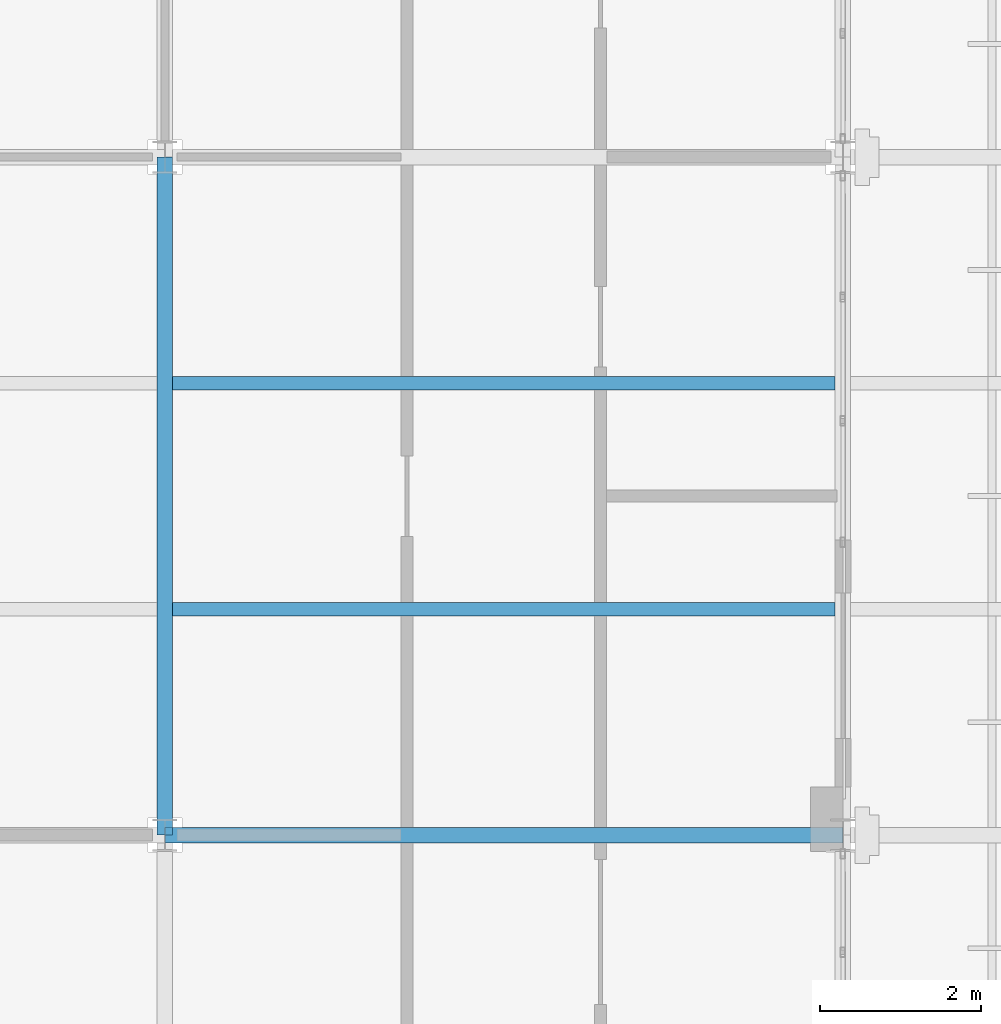
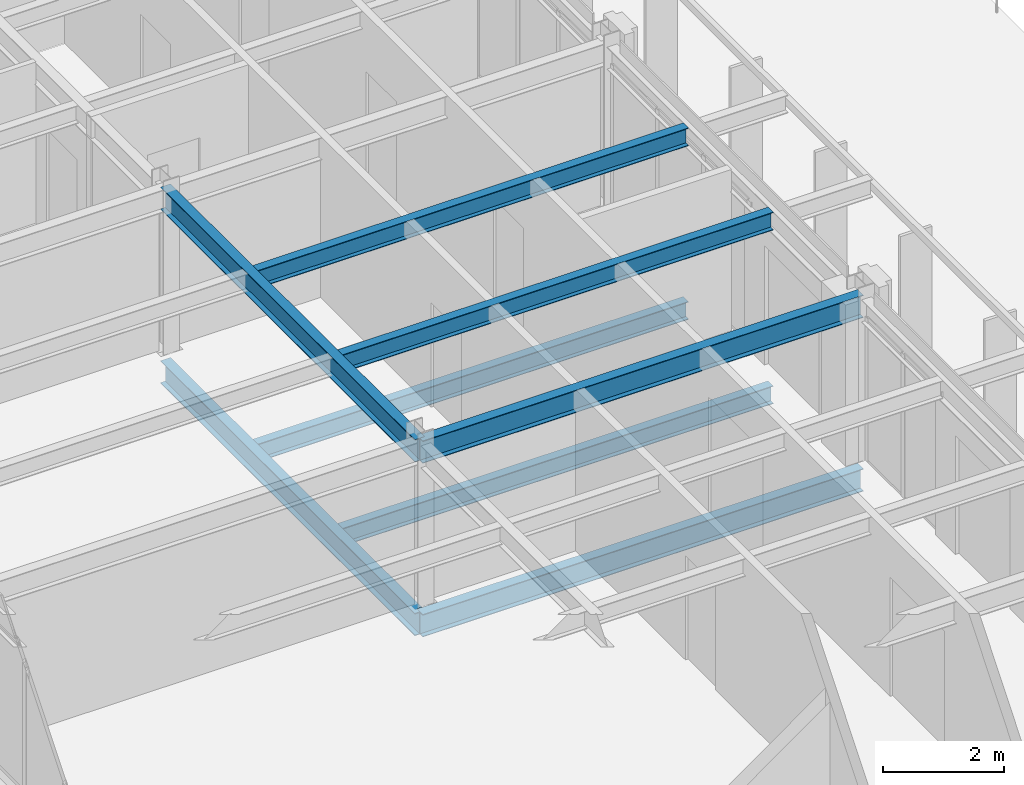
# One storey, part 14 of 31: 8 beams.
"""IFC4 building model written with IfcOpenShell, lengths in metres."""

import ifcopenshell
import ifcopenshell.guid

model = None  # the IFC model being written
_history = None  # IfcOwnerHistory: only IFC2X3 demands one
_inside = {}  # id of a spatial element -> (the spatial element, [elements in it])
_under = {}  # id of a project, library or spatial element -> (it, [spatial elements below it])
_declared = {}  # id of a project -> (the project, [libraries it declares])
_typed = {}  # id of a type object -> (the type object, [elements of that type])
_made_of = {}  # id of a material, layer set ... -> (it, [elements and type objects made of it])


def new_model(schema):
    """Start an empty IFC model of exactly this schema.

    Asked for "IFC4X3", IfcOpenShell would pick the latest addendum, in which some entities
    have other attributes; the version numbers below select the first issue.
    IFC2X3 requires an IfcOwnerHistory on every rooted entity: one is made here for all.
    """
    global model, _history
    if schema == "IFC4X3":
        model = ifcopenshell.file(schema_version=(4, 3, 0, 0))
    else:
        model = ifcopenshell.file(schema=schema)
    _inside.clear()
    _under.clear()
    _declared.clear()
    _typed.clear()
    _made_of.clear()
    _history = None
    if model.schema == "IFC2X3":
        org = make("IfcOrganization", Name="unknown")
        user = make(
            "IfcPersonAndOrganization",
            ThePerson=make("IfcPerson", FamilyName="unknown"),
            TheOrganization=org,
        )
        app = make(
            "IfcApplication",
            ApplicationDeveloper=org,
            Version="unknown",
            ApplicationFullName="unknown",
            ApplicationIdentifier="unknown",
        )
        _history = make(
            "IfcOwnerHistory",
            OwningUser=user,
            OwningApplication=app,
            ChangeAction="ADDED",
            CreationDate=0,
        )
    return model


def make(cls, **values):
    """One entity of the class cls with the attributes given. An attribute that is None is left unset."""
    return model.create_entity(
        cls, **{name: value for name, value in values.items() if value is not None}
    )


def rooted(cls, **values):
    """An entity with a GlobalId (a new one), such as an element, a storey or a relation."""
    return make(cls, GlobalId=ifcopenshell.guid.new(), OwnerHistory=_history, **values)


def si_unit(unit_type, name, prefix=None):
    """IfcSIUnit, for example si_unit("LENGTHUNIT", "METRE", prefix="MILLI")."""
    return make("IfcSIUnit", UnitType=unit_type, Prefix=prefix, Name=name)


def assignment(units):
    """IfcUnitAssignment: the units of a project."""
    return None if units is None else make("IfcUnitAssignment", Units=units)


def point(xyz):
    """IfcCartesianPoint."""
    return None if xyz is None else make("IfcCartesianPoint", Coordinates=xyz)


def direction(xyz):
    """IfcDirection."""
    return None if xyz is None else make("IfcDirection", DirectionRatios=xyz)


def frame(location, z_axis=None, x_axis=None):
    """IfcAxis2Placement3D, a coordinate frame: its origin and axes. An axis left out is left unset."""
    return make(
        "IfcAxis2Placement3D",
        Location=point(location),
        Axis=direction(z_axis),
        RefDirection=direction(x_axis),
    )


def frame_2d(location, x_axis=None):
    """IfcAxis2Placement2D, a coordinate frame in the plane: its origin and x axis."""
    return make(
        "IfcAxis2Placement2D", Location=point(location), RefDirection=direction(x_axis)
    )


def origin():
    """The frame at (0, 0, 0) with its axes left unset."""
    return frame((0.0, 0.0, 0.0))


def origin_2d():
    """The frame at (0, 0) in the plane with its x axis left unset."""
    return frame_2d((0.0, 0.0))


def place(relative_to, where):
    """IfcLocalPlacement: puts the frame where relative to a parent placement (None: the world)."""
    return make(
        "IfcLocalPlacement", PlacementRelTo=relative_to, RelativePlacement=where
    )


def context(
    kind, dimensions, precision=None, world=None, true_north=None, identifier=None
):
    """IfcGeometricRepresentationContext, for example the 3D "Model" context."""
    return make(
        "IfcGeometricRepresentationContext",
        ContextIdentifier=identifier,
        ContextType=kind,
        CoordinateSpaceDimension=dimensions,
        Precision=precision,
        WorldCoordinateSystem=world,
        TrueNorth=true_north,
    )


def subcontext(parent, identifier, kind, view, scale=None):
    """IfcGeometricRepresentationSubContext, for example "Body" below "Model"."""
    return make(
        "IfcGeometricRepresentationSubContext",
        ContextIdentifier=identifier,
        ContextType=kind,
        ParentContext=parent,
        TargetScale=scale,
        TargetView=view,
    )


def project(units=None, contexts=None):
    """IfcProject with its units and contexts."""
    return rooted(
        "IfcProject",
        Name="project",
        RepresentationContexts=contexts,
        UnitsInContext=assignment(units),
    )


def spatial(cls, under=None, at=None, **own):
    """A site, building, storey or space (cls), placed at a placement, below another one or the project."""
    s = rooted(cls, ObjectPlacement=at, **own)
    if under is not None:
        _under.setdefault(under.id(), (under, []))[1].append(s)
    return s


def profile(cls, at=None, kind="AREA", **sizes):
    """A parametric profile (cls). Its sizes go by their IFC names, for example OverallWidth=200.0."""
    return make(cls, ProfileType=kind, Position=at, **sizes)


def i_section(**sizes):
    """IfcIShapeProfileDef."""
    return profile("IfcIShapeProfileDef", **sizes)


def extrude(swept, where, along, depth):
    """IfcExtrudedAreaSolid: the profile swept, set in the frame where, extruded along a direction by depth."""
    return make(
        "IfcExtrudedAreaSolid",
        SweptArea=swept,
        Position=where,
        ExtrudedDirection=direction(along),
        Depth=depth,
    )


def shape(context_of_items, identifier, shape_type, items):
    """IfcShapeRepresentation: the items that make up one representation, for example the "Body"."""
    return make(
        "IfcShapeRepresentation",
        ContextOfItems=context_of_items,
        RepresentationIdentifier=identifier,
        RepresentationType=shape_type,
        Items=items,
    )


def material(Name=None, Category=None):
    """IfcMaterial."""
    return make("IfcMaterial", Name=Name, Category=Category)


def material_profile(
    of_material, cross_section, Name=None, Category=None, Priority=None
):
    """IfcMaterialProfile: a cross section and its material."""
    return make(
        "IfcMaterialProfile",
        Name=Name,
        Material=of_material,
        Profile=cross_section,
        Priority=Priority,
        Category=Category,
    )


def profile_set(profiles, Name=None, composite=None):
    """IfcMaterialProfileSet."""
    return make(
        "IfcMaterialProfileSet",
        Name=Name,
        MaterialProfiles=profiles,
        CompositeProfile=composite,
    )


def made_of(thing, what):
    """Note that an element or type object is made of a material, layer set ...; save() writes the relation."""
    if what is not None:
        _made_of.setdefault(what.id(), (what, []))[1].append(thing)
    return thing


def type_object(cls, material=None, **own):
    """A type object (cls), such as IfcWallType, which elements share."""
    return made_of(rooted(cls, **own), material)


def element(
    cls,
    number,
    at=None,
    inside=None,
    cuts=None,
    type_object=None,
    material=None,
    context=None,
    identifier="Body",
    shape_type=None,
    held_by="IfcProductDefinitionShape",
    body=None,
    shapes=None,
    **own,
):
    """One element of the class cls, such as IfcWall. Its Tag is "e" and its number.

    at: its placement. inside: the storey or other place that contains it. cuts: it is an
    opening in that element (IfcRelVoidsElement). A single representation is given by context,
    identifier, shape_type and body (its items); several are given by shapes. held_by: the class
    of the entity that holds the representations. save() writes the other relations.
    """
    e = rooted(cls, Tag="e%d" % number, ObjectPlacement=at, **own)
    if body is not None:
        shapes = [shape(context, identifier, shape_type, body)]
    if shapes is not None:
        e.Representation = make(held_by, Representations=shapes)
    if inside is not None:
        _inside.setdefault(inside.id(), (inside, []))[1].append(e)
    if cuts is not None:
        rooted(
            "IfcRelVoidsElement", RelatingBuildingElement=cuts, RelatedOpeningElement=e
        )
    if type_object is not None:
        _typed.setdefault(type_object.id(), (type_object, []))[1].append(e)
    return made_of(e, material)


def aggregate(whole, parts):
    """IfcRelAggregates: a whole, such as a stair, and the parts it consists of."""
    return rooted("IfcRelAggregates", RelatingObject=whole, RelatedObjects=parts)


def save(model, path):
    """Write the relations noted so far, then the file.

    IfcRelAggregates (storeys below a building ...), IfcRelContainedInSpatialStructure (elements
    in a storey), IfcRelDefinesByType, IfcRelAssociatesMaterial and IfcRelDeclares: one each for
    every whole, place, type object, material and project.
    """
    for whole, parts in _under.values():
        aggregate(whole, parts)
    for where, things in _inside.values():
        rooted(
            "IfcRelContainedInSpatialStructure",
            RelatedElements=things,
            RelatingStructure=where,
        )
    for kind, things in _typed.values():
        rooted("IfcRelDefinesByType", RelatedObjects=things, RelatingType=kind)
    for what, things in _made_of.values():
        rooted("IfcRelAssociatesMaterial", RelatedObjects=things, RelatingMaterial=what)
    for by, libraries in _declared.values():
        rooted("IfcRelDeclares", RelatingContext=by, RelatedDefinitions=libraries)
    model.write(path)


model = new_model("IFC4")

# Units and contexts
model_context = context("Model", 3, precision=1e-05, world=origin(), true_north=direction((0.0, 1.0)))
body_context = subcontext(model_context, "Body", "Model", "MODEL_VIEW")
ifc_project = project(units=[si_unit("LENGTHUNIT", "METRE"), si_unit("AREAUNIT", "SQUARE_METRE"), si_unit("VOLUMEUNIT", "CUBIC_METRE"), si_unit("PLANEANGLEUNIT", "RADIAN"), si_unit("MASSUNIT", "GRAM", prefix="KILO")], contexts=[model_context])

# Site, building, storey
site_placement = place(None, origin())
site = spatial("IfcSite", under=ifc_project, at=site_placement, CompositionType="ELEMENT")
building_placement = place(site_placement, origin())
building = spatial("IfcBuilding", under=site, at=building_placement, Name="Catenary Quay Ferry Terminal", CompositionType="ELEMENT")
storey_placement = place(building_placement, frame((0.0, 0.0, 20.60009765625)))
storey = spatial("IfcBuildingStorey", under=building, at=storey_placement, Name="L04", CompositionType="ELEMENT", Elevation=20.60009765625)

# Beams
ifc_material_1 = material(Name="Steel S355", Category="steel")
ifc_material_profile_1 = material_profile(ifc_material_1, i_section(OverallWidth=0.18994140625, OverallDepth=0.453369140625, WebThickness=0.008544921875, FlangeThickness=0.0126953125, at=origin_2d()), Name="UB 457x191x67")
ifc_profile_set_1 = profile_set([ifc_material_profile_1], Name="Steel S355")
beam_type_1 = type_object("IfcBeamType", Name="B1 UB 457x191x67", PredefinedType="BEAM", material=ifc_profile_set_1)
for number, where, z_axis, x_axis, name in (
    (1, (33.60009765625, 184.800048828125, -0.47705078125), (1.0, 0.0, 0.0), (0.0, 1.0, 0.0), "Beam B1-005"),
    (2, (33.60009765625, 184.800048828125, -0.47705078125), (0.0, 1.0, 0.0), (-1.0, 0.0, 0.0), "Beam B1-024"),
    (3, (33.60009765625, 184.800048828125, 3.02294921875), (1.0, 0.0, 0.0), (0.0, 1.0, 0.0), "Beam B1-004"),
    (4, (33.60009765625, 184.800048828125, 3.02294921875), (0.0, 1.0, 0.0), (-1.0, 0.0, 0.0), "Beam B1-017"),
):
    element("IfcBeam", number, at=place(storey_placement, frame(where, z_axis=z_axis, x_axis=x_axis)), inside=storey, type_object=beam_type_1, Name=name, PredefinedType="BEAM", context=body_context, shape_type="SweptSolid", body=[
        extrude(i_section(OverallWidth=0.18994140625, OverallDepth=0.453369140625, WebThickness=0.008544921875, FlangeThickness=0.0126953125, at=origin_2d()), origin(), (0.0, 0.0, 1.0), 8.39990234375),
    ])
ifc_material_2 = material(Name="Steel S355", Category="steel")
ifc_material_profile_2 = material_profile(ifc_material_2, i_section(OverallWidth=0.169921875, OverallDepth=0.360107421875, WebThickness=0.008056640625, FlangeThickness=0.0126953125, at=origin_2d()), Name="IPE 360")
ifc_profile_set_2 = profile_set([ifc_material_profile_2], Name="Steel S355")
beam_type_2 = type_object("IfcBeamType", Name="B7 IPE 360", PredefinedType="BEAM", material=ifc_profile_set_2)
for number, where, z_axis, x_axis, name in (
    (5, (33.695068359375, 187.60009765625, -0.43017578125), (1.0, 0.0, 0.0), (0.0, 1.0, 0.0), "Beam B7-014"),
    (6, (33.695068359375, 190.39990234375, -0.43017578125), (1.0, 0.0, 0.0), (0.0, 1.0, 0.0), "Beam B7-017"),
    (7, (33.695068359375, 187.60009765625, 3.06982421875), (1.0, 0.0, 0.0), (0.0, 1.0, 0.0), "Beam B7-010"),
    (8, (33.695068359375, 190.39990234375, 3.06982421875), (1.0, 0.0, 0.0), (0.0, 1.0, 0.0), "Beam B7-012"),
):
    element("IfcBeam", number, at=place(storey_placement, frame(where, z_axis=z_axis, x_axis=x_axis)), inside=storey, type_object=beam_type_2, Name=name, PredefinedType="BEAM", context=body_context, shape_type="SweptSolid", body=[
        extrude(i_section(OverallWidth=0.169921875, OverallDepth=0.360107421875, WebThickness=0.008056640625, FlangeThickness=0.0126953125, at=origin_2d()), origin(), (0.0, 0.0, 1.0), 8.2099609375),
    ])

save(model, "model.ifc")
